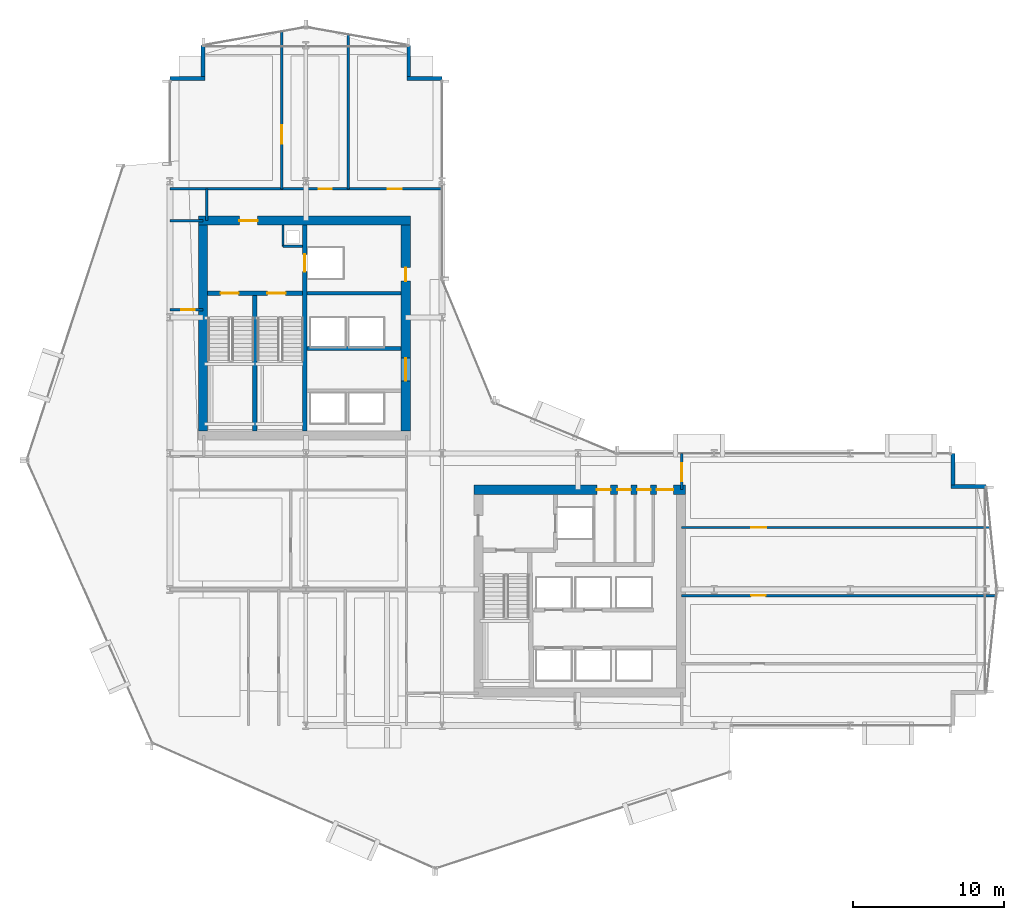
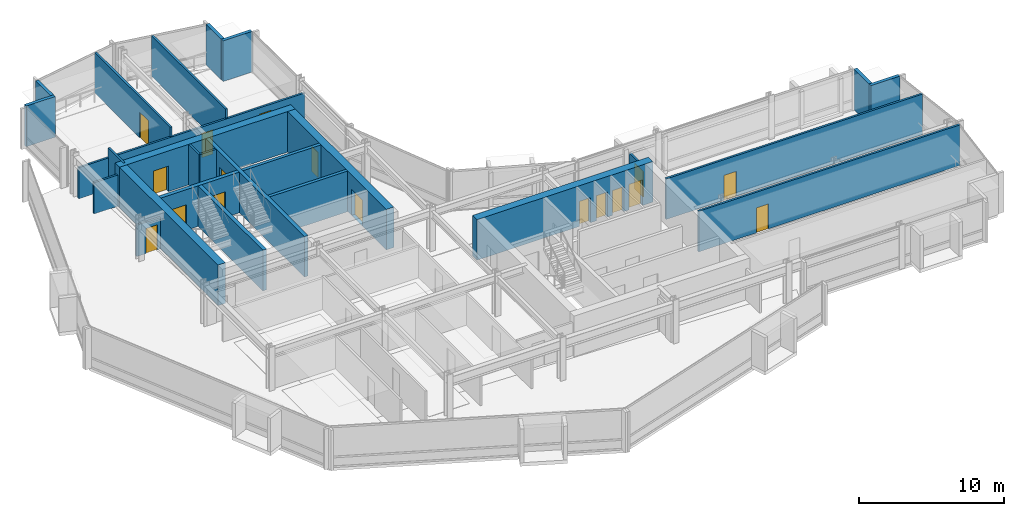
# One storey, part 28 of 34: 26 walls, 17 doors, 17 openings.
"""IFC4 building model written with IfcOpenShell, lengths in metres."""

from ifc_helpers import new_model, si_unit, direction, frame, frame_2d, origin, place, context, subcontext, project, spatial, rectangle, extrude, material, layer, layer_set, type_object, element, fill, save


model = new_model("IFC4")

# Units and contexts
model_context = context("Model", 3, precision=1e-05, world=origin(), true_north=direction((0.0, 1.0)))
body_context = subcontext(model_context, "Body", "Model", "MODEL_VIEW")
ifc_project = project(units=[si_unit("LENGTHUNIT", "METRE"), si_unit("AREAUNIT", "SQUARE_METRE"), si_unit("VOLUMEUNIT", "CUBIC_METRE"), si_unit("PLANEANGLEUNIT", "RADIAN"), si_unit("MASSUNIT", "GRAM", prefix="KILO")], contexts=[model_context])

# Site, building, storey
site_placement = place(None, origin())
site = spatial("IfcSite", under=ifc_project, at=site_placement, CompositionType="ELEMENT")
building_placement = place(site_placement, origin())
building = spatial("IfcBuilding", under=site, at=building_placement, Name="Solvaryn Broadcast Tower", CompositionType="ELEMENT")
storey_placement = place(building_placement, frame((0.0, 0.0, 54.5)))
storey = spatial("IfcBuildingStorey", under=building, at=storey_placement, Name="L12", CompositionType="ELEMENT", Elevation=54.5)

# Wall, opening, door
ifc_material_1 = material(Name="Concrete f'c 70 MPa", Category="concrete")
ifc_layer_1 = layer(ifc_material_1, 0.60009765625)
ifc_layer_set_1 = layer_set([ifc_layer_1], Name="CW-SHEAR-600")
wall_type_1 = type_object("IfcWallType", Name="CW-SHEAR-600", PredefinedType="SHEAR", material=ifc_layer_set_1)
wall_1_placement = place(storey_placement, frame((24.89990234375, 42.39990234375, 0.0), z_axis=(0.0, 0.0, 1.0), x_axis=(-1.0, 0.0, 0.0)))
wall_1 = element("IfcWall", 1, at=wall_1_placement, inside=storey, type_object=wall_type_1, Name="L12 West Core North Shear Wall", PredefinedType="SHEAR", context=body_context, shape_type="SweptSolid", body=[
    extrude(rectangle(XDim=14.0, YDim=0.60009765625, at=frame_2d((7.0, 0.0))), origin(), (0.0, 0.0, 1.0), 3.419921875),
])
opening_1_placement = place(wall_1_placement, frame((10.10009765625, 0.0, 0.0)))
opening_1 = element("IfcOpeningElement", 2, at=opening_1_placement, cuts=wall_1, Name="Opening FD90A", PredefinedType="OPENING", context=body_context, shape_type="SweptSolid", body=[
    extrude(rectangle(XDim=1.199951171875, YDim=2.14990234375, at=frame_2d((0.60009765625, 1.074951171875))), frame((0.0, 0.31005859375, 0.0), z_axis=(0.0, -1.0, 0.0), x_axis=(1.0, 0.0, 0.0)), (0.0, 0.0, 1.0), 0.6201171875),
])
ifc_material_2 = material(Name="Flush Acoustic Steel and Timber Door Assembly", Category="steel")
door_type_1 = type_object("IfcDoorType", Name="FD90-STAIR-1200X2150", OperationType="NOTDEFINED", PredefinedType="DOOR", material=ifc_material_2)
door_1_placement = place(opening_1_placement, origin())
door_1 = element("IfcDoor", 3, at=door_1_placement, inside=storey, type_object=door_type_1, Name="L12 West FSAE Lobby Corridor Door", OperationType="SINGLE_SWING_LEFT", OverallHeight=2.14990234375, OverallWidth=1.199951171875, PredefinedType="DOOR", context=body_context, shape_type="SweptSolid", body=[
    extrude(rectangle(XDim=1.199951171875, YDim=2.14990234375, at=frame_2d((0.60009765625, 1.074951171875))), frame((0.0, 0.02490234375, 0.0), z_axis=(0.0, -1.0, 0.0), x_axis=(1.0, 0.0, 0.0)), (0.0, 0.0, 1.0), 0.050048828125),
])
fill(opening_1, door_1)

# Wall
wall_2_placement = place(storey_placement, frame((11.199951171875, 42.10009765625, 0.0), z_axis=(0.0, 0.0, 1.0), x_axis=(0.0, -1.0, 0.0)))
element("IfcWall", 4, at=wall_2_placement, inside=storey, type_object=wall_type_1, Name="L12 West Core West Shear Wall", PredefinedType="SHEAR", context=body_context, shape_type="SweptSolid", body=[
    extrude(rectangle(XDim=13.60009765625, YDim=0.60009765625, at=frame_2d((6.800048828125, 0.0))), origin(), (0.0, 0.0, 1.0), 3.419921875),
])

# Wall, openings, doors
wall_3_placement = place(storey_placement, frame((24.60009765625, 28.5, 0.0), z_axis=(0.0, 0.0, 1.0), x_axis=(0.0, 1.0, 0.0)))
wall_3 = element("IfcWall", 5, at=wall_3_placement, inside=storey, type_object=wall_type_1, Name="L12 West Core East Shear Wall", PredefinedType="SHEAR", context=body_context, shape_type="SweptSolid", body=[
    extrude(rectangle(XDim=13.60009765625, YDim=0.60009765625, at=frame_2d((6.800048828125, 0.0))), origin(), (0.0, 0.0, 1.0), 3.419921875),
])
opening_2_placement = place(wall_3_placement, frame((3.300048828125, 0.0, 0.0)))
opening_2 = element("IfcOpeningElement", 6, at=opening_2_placement, cuts=wall_3, Name="Opening FD60A", PredefinedType="OPENING", context=body_context, shape_type="SweptSolid", body=[
    extrude(rectangle(XDim=1.5, YDim=2.199951171875, at=frame_2d((0.75, 1.10009765625))), frame((0.0, 0.31005859375, 0.0), z_axis=(0.0, -1.0, 0.0), x_axis=(1.0, 0.0, 0.0)), (0.0, 0.0, 1.0), 0.6201171875),
])
opening_3_placement = place(wall_3_placement, frame((9.89990234375, 0.0, 0.0)))
opening_3 = element("IfcOpeningElement", 7, at=opening_3_placement, cuts=wall_3, Name="Opening FD60C", PredefinedType="OPENING", context=body_context, shape_type="SweptSolid", body=[
    extrude(rectangle(XDim=0.89990234375, YDim=2.10009765625, at=frame_2d((0.449951171875, 1.050048828125))), frame((0.0, 0.31005859375, 0.0), z_axis=(0.0, -1.0, 0.0), x_axis=(1.0, 0.0, 0.0)), (0.0, 0.0, 1.0), 0.6201171875),
])
ifc_material_3 = material(Name="Flush Acoustic Steel and Timber Door Assembly", Category="steel")
door_type_2 = type_object("IfcDoorType", Name="FD60-CORR-1500X2200", OperationType="NOTDEFINED", PredefinedType="DOOR", material=ifc_material_3)
door_2_placement = place(opening_2_placement, origin())
door_2 = element("IfcDoor", 8, at=door_2_placement, inside=storey, type_object=door_type_2, Name="L12 West Elevator Lobby Corridor Door", OperationType="DOUBLE_DOOR_SINGLE_SWING", OverallHeight=2.199951171875, OverallWidth=1.5, PredefinedType="DOOR", context=body_context, shape_type="SweptSolid", body=[
    extrude(rectangle(XDim=1.5, YDim=2.199951171875, at=frame_2d((0.75, 1.10009765625))), frame((0.0, 0.02490234375, 0.0), z_axis=(0.0, -1.0, 0.0), x_axis=(1.0, 0.0, 0.0)), (0.0, 0.0, 1.0), 0.050048828125),
])
fill(opening_2, door_2)
ifc_material_4 = material(Name="Flush Acoustic Steel and Timber Door Assembly", Category="steel")
door_type_3 = type_object("IfcDoorType", Name="FD60-SERV-900X2100", OperationType="NOTDEFINED", PredefinedType="DOOR", material=ifc_material_4)
door_3_placement = place(opening_3_placement, origin())
door_3 = element("IfcDoor", 9, at=door_3_placement, inside=storey, type_object=door_type_3, Name="L12 West Core Service Door 1", OperationType="SINGLE_SWING_LEFT", OverallHeight=2.10009765625, OverallWidth=0.89990234375, PredefinedType="DOOR", context=body_context, shape_type="SweptSolid", body=[
    extrude(rectangle(XDim=0.89990234375, YDim=2.10009765625, at=frame_2d((0.449951171875, 1.050048828125))), frame((0.0, 0.02490234375, 0.0), z_axis=(0.0, -1.0, 0.0), x_axis=(1.0, 0.0, 0.0)), (0.0, 0.0, 1.0), 0.050048828125),
])
fill(opening_3, door_3)

wall_4_placement = place(storey_placement, frame((43.10009765625, 24.60009765625, 0.0), z_axis=(0.0, 0.0, 1.0), x_axis=(-1.0, 0.0, 0.0)))
wall_4 = element("IfcWall", 10, at=wall_4_placement, inside=storey, type_object=wall_type_1, Name="L12 East Core North Shear Wall", PredefinedType="SHEAR", context=body_context, shape_type="SweptSolid", body=[
    extrude(rectangle(XDim=14.0, YDim=0.60009765625, at=frame_2d((7.0, 0.0))), origin(), (0.0, 0.0, 1.0), 3.419921875),
])
opening_4_placement = place(wall_4_placement, frame((0.800048828125, 0.0, 0.0)))
opening_4 = element("IfcOpeningElement", 11, at=opening_4_placement, cuts=wall_4, Name="Opening FD90C", PredefinedType="OPENING", context=body_context, shape_type="SweptSolid", body=[
    extrude(rectangle(XDim=1.10009765625, YDim=2.14990234375, at=frame_2d((0.550048828125, 1.074951171875))), frame((0.0, 0.31005859375, 0.0), z_axis=(0.0, -1.0, 0.0), x_axis=(1.0, 0.0, 0.0)), (0.0, 0.0, 1.0), 0.6201171875),
])
opening_5_placement = place(wall_4_placement, frame((2.300048828125, 0.0, 0.0)))
opening_5 = element("IfcOpeningElement", 12, at=opening_5_placement, cuts=wall_4, Name="Opening FD60C", PredefinedType="OPENING", context=body_context, shape_type="SweptSolid", body=[
    extrude(rectangle(XDim=0.89990234375, YDim=2.10009765625, at=frame_2d((0.449951171875, 1.050048828125))), frame((0.0, 0.31005859375, 0.0), z_axis=(0.0, -1.0, 0.0), x_axis=(1.0, 0.0, 0.0)), (0.0, 0.0, 1.0), 0.6201171875),
])
opening_6_placement = place(wall_4_placement, frame((3.60009765625, 0.0, 0.0)))
opening_6 = element("IfcOpeningElement", 13, at=opening_6_placement, cuts=wall_4, Name="Opening FD60C", PredefinedType="OPENING", context=body_context, shape_type="SweptSolid", body=[
    extrude(rectangle(XDim=0.89990234375, YDim=2.10009765625, at=frame_2d((0.449951171875, 1.050048828125))), frame((0.0, 0.31005859375, 0.0), z_axis=(0.0, -1.0, 0.0), x_axis=(1.0, 0.0, 0.0)), (0.0, 0.0, 1.0), 0.6201171875),
])
opening_7_placement = place(wall_4_placement, frame((4.949951171875, 0.0, 0.0)))
opening_7 = element("IfcOpeningElement", 14, at=opening_7_placement, cuts=wall_4, Name="Opening FD60C", PredefinedType="OPENING", context=body_context, shape_type="SweptSolid", body=[
    extrude(rectangle(XDim=0.89990234375, YDim=2.10009765625, at=frame_2d((0.449951171875, 1.050048828125))), frame((0.0, 0.31005859375, 0.0), z_axis=(0.0, -1.0, 0.0), x_axis=(1.0, 0.0, 0.0)), (0.0, 0.0, 1.0), 0.6201171875),
])
door_4_placement = place(opening_5_placement, origin())
door_4 = element("IfcDoor", 15, at=door_4_placement, inside=storey, type_object=door_type_3, Name="L12 Core Wellness Room Door", OperationType="SINGLE_SWING_RIGHT", OverallHeight=2.10009765625, OverallWidth=0.89990234375, PredefinedType="DOOR", context=body_context, shape_type="SweptSolid", body=[
    extrude(rectangle(XDim=0.89990234375, YDim=2.10009765625, at=frame_2d((0.449951171875, 1.050048828125))), frame((0.0, 0.02490234375, 0.0), z_axis=(0.0, -1.0, 0.0), x_axis=(1.0, 0.0, 0.0)), (0.0, 0.0, 1.0), 0.050048828125),
])
fill(opening_5, door_4)
door_5_placement = place(opening_6_placement, origin())
door_5 = element("IfcDoor", 16, at=door_5_placement, inside=storey, type_object=door_type_3, Name="L12 Staff Restroom Door", OperationType="SINGLE_SWING_LEFT", OverallHeight=2.10009765625, OverallWidth=0.89990234375, PredefinedType="DOOR", context=body_context, shape_type="SweptSolid", body=[
    extrude(rectangle(XDim=0.89990234375, YDim=2.10009765625, at=frame_2d((0.449951171875, 1.050048828125))), frame((0.0, 0.02490234375, 0.0), z_axis=(0.0, -1.0, 0.0), x_axis=(1.0, 0.0, 0.0)), (0.0, 0.0, 1.0), 0.050048828125),
])
fill(opening_6, door_5)
door_6_placement = place(opening_7_placement, origin())
door_6 = element("IfcDoor", 17, at=door_6_placement, inside=storey, type_object=door_type_3, Name="L12 Accessible WC Door", OperationType="SINGLE_SWING_RIGHT", OverallHeight=2.10009765625, OverallWidth=0.89990234375, PredefinedType="DOOR", context=body_context, shape_type="SweptSolid", body=[
    extrude(rectangle(XDim=0.89990234375, YDim=2.10009765625, at=frame_2d((0.449951171875, 1.050048828125))), frame((0.0, 0.02490234375, 0.0), z_axis=(0.0, -1.0, 0.0), x_axis=(1.0, 0.0, 0.0)), (0.0, 0.0, 1.0), 0.050048828125),
])
fill(opening_7, door_6)
ifc_material_5 = material(Name="Flush Acoustic Steel and Timber Door Assembly", Category="steel")
door_type_4 = type_object("IfcDoorType", Name="FD90-PLANT-1100X2150", OperationType="NOTDEFINED", PredefinedType="DOOR", material=ifc_material_5)
door_7_placement = place(opening_4_placement, origin())
door_7 = element("IfcDoor", 18, at=door_7_placement, inside=storey, type_object=door_type_4, Name="L12 East Core Lobby Corridor Door", OperationType="SINGLE_SWING_LEFT", OverallHeight=2.14990234375, OverallWidth=1.10009765625, PredefinedType="DOOR", context=body_context, shape_type="SweptSolid", body=[
    extrude(rectangle(XDim=1.10009765625, YDim=2.14990234375, at=frame_2d((0.550048828125, 1.074951171875))), frame((0.0, 0.02490234375, 0.0), z_axis=(0.0, -1.0, 0.0), x_axis=(1.0, 0.0, 0.0)), (0.0, 0.0, 1.0), 0.050048828125),
])
fill(opening_4, door_7)

# Walls
ifc_material_6 = material(Name="Concrete f'c 50 MPa", Category="concrete")
ifc_layer_2 = layer(ifc_material_6, 0.260009765625)
ifc_layer_set_2 = layer_set([ifc_layer_2], Name="EW-PIER-260")
wall_type_2 = type_object("IfcWallType", Name="EW-PIER-260", PredefinedType="SOLIDWALL", material=ifc_layer_set_2)
wall_5_placement = place(storey_placement, frame((9.0, 51.800048828125, 0.0), z_axis=(0.0, 0.0, 1.0), x_axis=(1.0, 0.0, 0.0)))
element("IfcWall", 19, at=wall_5_placement, inside=storey, type_object=wall_type_2, Name="L12 Notched Corner Pier Wall NNW1", PredefinedType="SOLIDWALL", context=body_context, shape_type="SweptSolid", body=[
    extrude(rectangle(XDim=2.320068359375, YDim=0.260009765625, at=frame_2d((1.16015625, 0.0))), origin(), (0.0, 0.0, 1.0), 3.419921875),
])
for number, where, z_axis, x_axis, name in (
    (20, (11.199951171875, 51.919921875, 0.0), (0.0, 0.0, 1.0), (0.0, 1.0, 0.0), "L12 Notched Corner Pier Wall NNW2"),
    (21, (24.800048828125, 54.0, 0.0), (0.0, 0.0, 1.0), (0.0, -1.0, 0.0), "L12 Notched Corner Pier Wall NNE1"),
):
    element("IfcWall", number, at=place(storey_placement, frame(where, z_axis=z_axis, x_axis=x_axis)), inside=storey, type_object=wall_type_2, Name=name, PredefinedType="SOLIDWALL", context=body_context, shape_type="SweptSolid", body=[
        extrude(rectangle(XDim=2.080078125, YDim=0.260009765625, at=frame_2d((1.0400390625, 0.0))), origin(), (0.0, 0.0, 1.0), 3.419921875),
    ])
for number, where, z_axis, x_axis, name in (
    (22, (24.679931640625, 51.800048828125, 0.0), (0.0, 0.0, 1.0), (1.0, 0.0, 0.0), "L12 Notched Corner Pier Wall NNE2"),
    (23, (63.0, 24.800048828125, 0.0), (0.0, 0.0, 1.0), (-1.0, 0.0, 0.0), "L12 Notched Corner Pier Wall NEE1"),
):
    element("IfcWall", number, at=place(storey_placement, frame(where, z_axis=z_axis, x_axis=x_axis)), inside=storey, type_object=wall_type_2, Name=name, PredefinedType="SOLIDWALL", context=body_context, shape_type="SweptSolid", body=[
        extrude(rectangle(XDim=2.320068359375, YDim=0.260009765625, at=frame_2d((1.16015625, 0.0))), origin(), (0.0, 0.0, 1.0), 3.419921875),
    ])
wall_6_placement = place(storey_placement, frame((60.800048828125, 24.919921875, 0.0), z_axis=(0.0, 0.0, 1.0), x_axis=(0.0, 1.0, 0.0)))
element("IfcWall", 24, at=wall_6_placement, inside=storey, type_object=wall_type_2, Name="L12 Notched Corner Pier Wall NEE2", PredefinedType="SOLIDWALL", context=body_context, shape_type="SweptSolid", body=[
    extrude(rectangle(XDim=2.080078125, YDim=0.260009765625, at=frame_2d((1.0400390625, 0.0))), origin(), (0.0, 0.0, 1.0), 3.419921875),
])
ifc_material_7 = material(Name="Metal-Stud Service Core Partition")
ifc_layer_3 = layer(ifc_material_7, 0.14990234375)
ifc_layer_set_3 = layer_set([ifc_layer_3], Name="IW-PART-150")
wall_type_3 = type_object("IfcWallType", Name="IW-PART-150", PredefinedType="PARTITIONING", material=ifc_layer_set_3)
wall_7_placement = place(storey_placement, frame((16.47998046875, 40.699951171875, 0.0), z_axis=(0.0, 0.0, 1.0), x_axis=(1.0, 0.0, 0.0)))
element("IfcWall", 25, at=wall_7_placement, inside=storey, type_object=wall_type_3, Name="L12 West Core Riser Shaft South Wall", PredefinedType="PARTITIONING", context=body_context, shape_type="SweptSolid", body=[
    extrude(rectangle(XDim=1.2900390625, YDim=0.14990234375, at=frame_2d((0.64501953125, 0.0))), origin(), (0.0, 0.0, 1.0), 3.419921875),
])
wall_8_placement = place(storey_placement, frame((16.47998046875, 40.699951171875, 0.0), z_axis=(0.0, 0.0, 1.0), x_axis=(0.0, 1.0, 0.0)))
element("IfcWall", 26, at=wall_8_placement, inside=storey, type_object=wall_type_3, Name="L12 West Core Riser Shaft West Wall", PredefinedType="PARTITIONING", context=body_context, shape_type="SweptSolid", body=[
    extrude(rectangle(XDim=1.400146484375, YDim=0.14990234375, at=frame_2d((0.7001953125, 0.0))), origin(), (0.0, 0.0, 1.0), 3.419921875),
])

# Wall, opening, door
wall_9_placement = place(storey_placement, frame((9.0, 36.5, 0.0), z_axis=(0.0, 0.0, 1.0), x_axis=(1.0, 0.0, 0.0)))
wall_9 = element("IfcWall", 27, at=wall_9_placement, inside=storey, type_object=wall_type_3, Name="L12 Interior Partition IW-L12-WM-M", PredefinedType="PARTITIONING", context=body_context, shape_type="SweptSolid", body=[
    extrude(rectangle(XDim=2.199951171875, YDim=0.14990234375, at=frame_2d((1.10009765625, 0.0))), origin(), (0.0, 0.0, 1.0), 2.626953125),
])
opening_8_placement = place(wall_9_placement, frame((0.75, 0.0, 0.0)))
opening_8 = element("IfcOpeningElement", 28, at=opening_8_placement, cuts=wall_9, Name="Opening FD60C", PredefinedType="OPENING", context=body_context, shape_type="SweptSolid", body=[
    extrude(rectangle(XDim=0.89990234375, YDim=2.10009765625, at=frame_2d((0.449951171875, 1.050048828125))), frame((0.0, 0.0849609375, 0.0), z_axis=(0.0, -1.0, 0.0), x_axis=(1.0, 0.0, 0.0)), (0.0, 0.0, 1.0), 0.169921875),
])
door_8_placement = place(opening_8_placement, origin())
door_8 = element("IfcDoor", 29, at=door_8_placement, inside=storey, type_object=door_type_3, Name="L12 Door DR-L12-WM1", OperationType="SINGLE_SWING_RIGHT", OverallHeight=2.10009765625, OverallWidth=0.89990234375, PredefinedType="DOOR", context=body_context, shape_type="SweptSolid", body=[
    extrude(rectangle(XDim=0.89990234375, YDim=2.10009765625, at=frame_2d((0.449951171875, 1.050048828125))), frame((0.0, 0.02490234375, 0.0), z_axis=(0.0, -1.0, 0.0), x_axis=(1.0, 0.0, 0.0)), (0.0, 0.0, 1.0), 0.050048828125),
])
fill(opening_8, door_8)

# Walls
ifc_material_8 = material(Name="Metal-Stud Gypsum Office Partition")
ifc_layer_4 = layer(ifc_material_8, 0.159912109375)
ifc_layer_set_4 = layer_set([ifc_layer_4], Name="IW-PART-160")
wall_type_4 = type_object("IfcWallType", Name="IW-PART-160", PredefinedType="PARTITIONING", material=ifc_layer_set_4)
wall_10_placement = place(storey_placement, frame((9.0, 42.39990234375, 0.0), z_axis=(0.0, 0.0, 1.0), x_axis=(1.0, 0.0, 0.0)))
element("IfcWall", 30, at=wall_10_placement, inside=storey, type_object=wall_type_4, Name="L12 Interior Partition IW-L12-WM-N", PredefinedType="PARTITIONING", context=body_context, shape_type="SweptSolid", body=[
    extrude(rectangle(XDim=2.199951171875, YDim=0.159912109375, at=frame_2d((1.10009765625, 0.0))), origin(), (0.0, 0.0, 1.0), 2.626953125),
])
wall_11_placement = place(storey_placement, frame((11.449951171875, 42.39990234375, 0.0), z_axis=(0.0, 0.0, 1.0), x_axis=(0.0, 1.0, 0.0)))
element("IfcWall", 31, at=wall_11_placement, inside=storey, type_object=wall_type_4, Name="L12 Interior Partition IW-L12-WM-E", PredefinedType="PARTITIONING", context=body_context, shape_type="SweptSolid", body=[
    extrude(rectangle(XDim=2.10009765625, YDim=0.159912109375, at=frame_2d((1.050048828125, 0.0))), origin(), (0.0, 0.0, 1.0), 3.419921875),
])

# Wall, openings, doors
wall_12_placement = place(storey_placement, frame((9.0, 44.5, 0.0), z_axis=(0.0, 0.0, 1.0), x_axis=(1.0, 0.0, 0.0)))
wall_12 = element("IfcWall", 32, at=wall_12_placement, inside=storey, type_object=wall_type_4, Name="L12 Interior Partition IW-L12-NW-SB", PredefinedType="PARTITIONING", context=body_context, shape_type="SweptSolid", body=[
    extrude(rectangle(XDim=18.0, YDim=0.159912109375, at=frame_2d((9.0, 0.0))), origin(), (0.0, 0.0, 1.0), 2.626953125),
])
opening_9_placement = place(wall_12_placement, frame((9.85009765625, 0.0, 0.0)))
opening_9 = element("IfcOpeningElement", 33, at=opening_9_placement, cuts=wall_12, Name="Opening ID07", PredefinedType="OPENING", context=body_context, shape_type="SweptSolid", body=[
    extrude(rectangle(XDim=0.860107421875, YDim=2.050048828125, at=frame_2d((0.43017578125, 1.02490234375))), frame((0.0, 0.090087890625, 0.0), z_axis=(0.0, -1.0, 0.0), x_axis=(1.0, 0.0, 0.0)), (0.0, 0.0, 1.0), 0.179931640625),
])
opening_10_placement = place(wall_12_placement, frame((14.39990234375, 0.0, 0.0)))
opening_10 = element("IfcOpeningElement", 34, at=opening_10_placement, cuts=wall_12, Name="Opening ID01", PredefinedType="OPENING", context=body_context, shape_type="SweptSolid", body=[
    extrude(rectangle(XDim=0.949951171875, YDim=2.10009765625, at=frame_2d((0.47509765625, 1.050048828125))), frame((0.0, 0.090087890625, 0.0), z_axis=(0.0, -1.0, 0.0), x_axis=(1.0, 0.0, 0.0)), (0.0, 0.0, 1.0), 0.179931640625),
])
ifc_material_9 = material(Name="Flush Acoustic Steel and Timber Door Assembly", Category="steel")
door_type_5 = type_object("IfcDoorType", Name="ID-01-950X2100", OperationType="NOTDEFINED", PredefinedType="DOOR", material=ifc_material_9)
door_9_placement = place(opening_10_placement, origin())
door_9 = element("IfcDoor", 35, at=door_9_placement, inside=storey, type_object=door_type_5, Name="L12 Door DR-L12-NW-3", OperationType="SINGLE_SWING_RIGHT", OverallHeight=2.10009765625, OverallWidth=0.949951171875, PredefinedType="DOOR", context=body_context, shape_type="SweptSolid", body=[
    extrude(rectangle(XDim=0.949951171875, YDim=2.10009765625, at=frame_2d((0.47509765625, 1.050048828125))), frame((0.0, 0.02490234375, 0.0), z_axis=(0.0, -1.0, 0.0), x_axis=(1.0, 0.0, 0.0)), (0.0, 0.0, 1.0), 0.050048828125),
])
fill(opening_10, door_9)
ifc_material_10 = material(Name="Flush Acoustic Steel and Timber Door Assembly", Category="steel")
door_type_6 = type_object("IfcDoorType", Name="ID-07-860X2050", OperationType="NOTDEFINED", PredefinedType="DOOR", material=ifc_material_10)
door_10_placement = place(opening_9_placement, origin())
door_10 = element("IfcDoor", 36, at=door_10_placement, inside=storey, type_object=door_type_6, Name="L12 Door DR-L12-NW-2", OperationType="SINGLE_SWING_LEFT", OverallHeight=2.050048828125, OverallWidth=0.860107421875, PredefinedType="DOOR", context=body_context, shape_type="SweptSolid", body=[
    extrude(rectangle(XDim=0.860107421875, YDim=2.050048828125, at=frame_2d((0.43017578125, 1.02490234375))), frame((0.0, 0.02490234375, 0.0), z_axis=(0.0, -1.0, 0.0), x_axis=(1.0, 0.0, 0.0)), (0.0, 0.0, 1.0), 0.050048828125),
])
fill(opening_9, door_10)

# Wall, opening, door
wall_13_placement = place(storey_placement, frame((16.39990234375, 44.5, 0.0), z_axis=(0.0, 0.0, 1.0), x_axis=(0.0, 1.0, 0.0)))
wall_13 = element("IfcWall", 37, at=wall_13_placement, inside=storey, type_object=wall_type_4, Name="L12 Interior Partition IW-L12-NW-V1", PredefinedType="PARTITIONING", context=body_context, shape_type="SweptSolid", body=[
    extrude(rectangle(XDim=10.41796875, YDim=0.159912109375, at=frame_2d((5.208984375, 0.0))), origin(), (0.0, 0.0, 1.0), 3.419921875),
])
opening_11_placement = place(wall_13_placement, frame((3.0, 0.0, 0.0)))
opening_11 = element("IfcOpeningElement", 38, at=opening_11_placement, cuts=wall_13, Name="Opening ID04", PredefinedType="OPENING", context=body_context, shape_type="SweptSolid", body=[
    extrude(rectangle(XDim=1.199951171875, YDim=2.14990234375, at=frame_2d((0.60009765625, 1.074951171875))), frame((0.0, 0.090087890625, 0.0), z_axis=(0.0, -1.0, 0.0), x_axis=(1.0, 0.0, 0.0)), (0.0, 0.0, 1.0), 0.179931640625),
])
ifc_material_11 = material(Name="Flush Acoustic Steel and Timber Door Assembly", Category="steel")
door_type_7 = type_object("IfcDoorType", Name="ID-04-1200X2150", OperationType="NOTDEFINED", PredefinedType="DOOR", material=ifc_material_11)
door_11_placement = place(opening_11_placement, origin())
door_11 = element("IfcDoor", 39, at=door_11_placement, inside=storey, type_object=door_type_7, Name="L12 Door DR-L12-NW-C1", OperationType="SINGLE_SWING_RIGHT", OverallHeight=2.14990234375, OverallWidth=1.199951171875, PredefinedType="DOOR", context=body_context, shape_type="SweptSolid", body=[
    extrude(rectangle(XDim=1.199951171875, YDim=2.14990234375, at=frame_2d((0.60009765625, 1.074951171875))), frame((0.0, 0.02490234375, 0.0), z_axis=(0.0, -1.0, 0.0), x_axis=(1.0, 0.0, 0.0)), (0.0, 0.0, 1.0), 0.050048828125),
])
fill(opening_11, door_11)

# Wall
wall_14_placement = place(storey_placement, frame((20.800048828125, 44.5, 0.0), z_axis=(0.0, 0.0, 1.0), x_axis=(0.0, 1.0, 0.0)))
element("IfcWall", 40, at=wall_14_placement, inside=storey, type_object=wall_type_4, Name="L12 Interior Partition IW-L12-NW-V2", PredefinedType="PARTITIONING", context=body_context, shape_type="SweptSolid", body=[
    extrude(rectangle(XDim=10.2060546875, YDim=0.159912109375, at=frame_2d((5.10302734375, 0.0))), origin(), (0.0, 0.0, 1.0), 3.419921875),
])

# Wall, opening, door
wall_15_placement = place(storey_placement, frame((42.85009765625, 24.60009765625, 0.0), z_axis=(0.0, 0.0, 1.0), x_axis=(0.0, 1.0, 0.0)))
wall_15 = element("IfcWall", 41, at=wall_15_placement, inside=storey, type_object=wall_type_4, Name="L12 Interior Partition IW-L12-EW-BN", PredefinedType="PARTITIONING", context=body_context, shape_type="SweptSolid", body=[
    extrude(rectangle(XDim=2.39990234375, YDim=0.159912109375, at=frame_2d((1.199951171875, 0.0))), origin(), (0.0, 0.0, 1.0), 2.626953125),
])
opening_12_placement = place(wall_15_placement, frame((0.550048828125, 0.0, 0.0)))
opening_12 = element("IfcOpeningElement", 42, at=opening_12_placement, cuts=wall_15, Name="Opening ID04", PredefinedType="OPENING", context=body_context, shape_type="SweptSolid", body=[
    extrude(rectangle(XDim=1.199951171875, YDim=2.14990234375, at=frame_2d((0.60009765625, 1.074951171875))), frame((0.0, 0.090087890625, 0.0), z_axis=(0.0, -1.0, 0.0), x_axis=(1.0, 0.0, 0.0)), (0.0, 0.0, 1.0), 0.179931640625),
])
door_12_placement = place(opening_12_placement, origin())
door_12 = element("IfcDoor", 43, at=door_12_placement, inside=storey, type_object=door_type_7, Name="L12 Door DR-L12-EW0", OperationType="SINGLE_SWING_LEFT", OverallHeight=2.14990234375, OverallWidth=1.199951171875, PredefinedType="DOOR", context=body_context, shape_type="SweptSolid", body=[
    extrude(rectangle(XDim=1.199951171875, YDim=2.14990234375, at=frame_2d((0.60009765625, 1.074951171875))), frame((0.0, 0.02490234375, 0.0), z_axis=(0.0, -1.0, 0.0), x_axis=(1.0, 0.0, 0.0)), (0.0, 0.0, 1.0), 0.050048828125),
])
fill(opening_12, door_12)

wall_16_placement = place(storey_placement, frame((42.85009765625, 17.60009765625, 0.0), z_axis=(0.0, 0.0, 1.0), x_axis=(1.0, 0.0, 0.0)))
wall_16 = element("IfcWall", 44, at=wall_16_placement, inside=storey, type_object=wall_type_4, Name="L12 Interior Partition IW-L12-EW-H2", PredefinedType="PARTITIONING", context=body_context, shape_type="SweptSolid", body=[
    extrude(rectangle(XDim=20.808837890625, YDim=0.159912109375, at=frame_2d((10.404296875, 0.0))), origin(), (0.0, 0.0, 1.0), 3.419921875),
])
opening_13_placement = place(wall_16_placement, frame((4.60009765625, 0.0, 0.0)))
opening_13 = element("IfcOpeningElement", 45, at=opening_13_placement, cuts=wall_16, Name="Opening ID01", PredefinedType="OPENING", context=body_context, shape_type="SweptSolid", body=[
    extrude(rectangle(XDim=0.949951171875, YDim=2.10009765625, at=frame_2d((0.47509765625, 1.050048828125))), frame((0.0, 0.090087890625, 0.0), z_axis=(0.0, -1.0, 0.0), x_axis=(1.0, 0.0, 0.0)), (0.0, 0.0, 1.0), 0.179931640625),
])
door_13_placement = place(opening_13_placement, origin())
door_13 = element("IfcDoor", 46, at=door_13_placement, inside=storey, type_object=door_type_5, Name="L12 Door DR-L12-EW-2", OperationType="SINGLE_SWING_LEFT", OverallHeight=2.10009765625, OverallWidth=0.949951171875, PredefinedType="DOOR", context=body_context, shape_type="SweptSolid", body=[
    extrude(rectangle(XDim=0.949951171875, YDim=2.10009765625, at=frame_2d((0.47509765625, 1.050048828125))), frame((0.0, 0.02490234375, 0.0), z_axis=(0.0, -1.0, 0.0), x_axis=(1.0, 0.0, 0.0)), (0.0, 0.0, 1.0), 0.050048828125),
])
fill(opening_13, door_13)

wall_17_placement = place(storey_placement, frame((42.85009765625, 22.10009765625, 0.0), z_axis=(0.0, 0.0, 1.0), x_axis=(1.0, 0.0, 0.0)))
wall_17 = element("IfcWall", 47, at=wall_17_placement, inside=storey, type_object=wall_type_4, Name="L12 Interior Partition IW-L12-EW-H3", PredefinedType="PARTITIONING", context=body_context, shape_type="SweptSolid", body=[
    extrude(rectangle(XDim=20.427978515625, YDim=0.159912109375, at=frame_2d((10.2138671875, 0.0))), origin(), (0.0, 0.0, 1.0), 3.419921875),
])
opening_14_placement = place(wall_17_placement, frame((4.60009765625, 0.0, 0.0)))
opening_14 = element("IfcOpeningElement", 48, at=opening_14_placement, cuts=wall_17, Name="Opening ID02", PredefinedType="OPENING", context=body_context, shape_type="SweptSolid", body=[
    extrude(rectangle(XDim=1.0, YDim=2.10009765625, at=frame_2d((0.5, 1.050048828125))), frame((0.0, 0.090087890625, 0.0), z_axis=(0.0, -1.0, 0.0), x_axis=(1.0, 0.0, 0.0)), (0.0, 0.0, 1.0), 0.179931640625),
])
ifc_material_12 = material(Name="Flush Acoustic Steel and Timber Door Assembly", Category="steel")
door_type_8 = type_object("IfcDoorType", Name="ID-02-1000X2100", OperationType="NOTDEFINED", PredefinedType="DOOR", material=ifc_material_12)
door_14_placement = place(opening_14_placement, origin())
door_14 = element("IfcDoor", 49, at=door_14_placement, inside=storey, type_object=door_type_8, Name="L12 Door DR-L12-EW-3", OperationType="SINGLE_SWING_RIGHT", OverallHeight=2.10009765625, OverallWidth=1.0, PredefinedType="DOOR", context=body_context, shape_type="SweptSolid", body=[
    extrude(rectangle(XDim=1.0, YDim=2.10009765625, at=frame_2d((0.5, 1.050048828125))), frame((0.0, 0.02490234375, 0.0), z_axis=(0.0, -1.0, 0.0), x_axis=(1.0, 0.0, 0.0)), (0.0, 0.0, 1.0), 0.050048828125),
])
fill(opening_14, door_14)

# Walls
ifc_material_13 = material(Name="Concrete f'c 60 MPa", Category="concrete")
ifc_layer_5 = layer(ifc_material_13, 0.25)
ifc_layer_set_5 = layer_set([ifc_layer_5], Name="SW-SHAFT-250")
wall_type_5 = type_object("IfcWallType", Name="SW-SHAFT-250", PredefinedType="PARTITIONING", material=ifc_layer_set_5)
for number, where, z_axis, x_axis, name in (
    (50, (18.070068359375, 37.60009765625, 0.0), (0.0, 0.0, 1.0), (1.0, 0.0, 0.0), "L12 West Core FSAE Hoistway Front Wall"),
    (51, (24.300048828125, 33.949951171875, 0.0), (0.0, 0.0, 1.0), (-1.0, 0.0, 0.0), "L12 High-Rise Lift Bank North Wall"),
):
    element("IfcWall", number, at=place(storey_placement, frame(where, z_axis=z_axis, x_axis=x_axis)), inside=storey, type_object=wall_type_5, Name=name, PredefinedType="PARTITIONING", context=body_context, shape_type="SweptSolid", body=[
        extrude(rectangle(XDim=6.22998046875, YDim=0.25, at=frame_2d((3.114990234375, 0.0))), origin(), (0.0, 0.0, 1.0), 3.419921875),
    ])
ifc_material_14 = material(Name="Concrete f'c 70 MPa", Category="concrete")
ifc_layer_6 = layer(ifc_material_14, 0.300048828125)
ifc_layer_set_6 = layer_set([ifc_layer_6], Name="SW-SHAFT-300")
wall_type_6 = type_object("IfcWallType", Name="SW-SHAFT-300", PredefinedType="SHEAR", material=ifc_layer_set_6)
wall_18_placement = place(storey_placement, frame((14.6201171875, 28.5, 0.0), z_axis=(0.0, 0.0, 1.0), x_axis=(0.0, 1.0, 0.0)))
element("IfcWall", 52, at=wall_18_placement, inside=storey, type_object=wall_type_6, Name="L12 Stair 1-2 Dividing Wall", PredefinedType="SHEAR", context=body_context, shape_type="SweptSolid", body=[
    extrude(rectangle(XDim=8.949951171875, YDim=0.300048828125, at=frame_2d((4.47509765625, 0.0))), origin(), (0.0, 0.0, 1.0), 3.419921875),
])

# Wall, opening, door
wall_19_placement = place(storey_placement, frame((17.919921875, 42.10009765625, 0.0), z_axis=(0.0, 0.0, 1.0), x_axis=(0.0, -1.0, 0.0)))
wall_19 = element("IfcWall", 53, at=wall_19_placement, inside=storey, type_object=wall_type_6, Name="L12 West Core Stair-Lobby Shear Wall", PredefinedType="SHEAR", context=body_context, shape_type="SweptSolid", body=[
    extrude(rectangle(XDim=13.60009765625, YDim=0.300048828125, at=frame_2d((6.800048828125, 0.0))), origin(), (0.0, 0.0, 1.0), 3.419921875),
])
opening_15_placement = place(wall_19_placement, frame((1.925048828125, 0.0, 0.0)))
opening_15 = element("IfcOpeningElement", 54, at=opening_15_placement, cuts=wall_19, Name="Opening LD01", PredefinedType="OPENING", context=body_context, shape_type="SweptSolid", body=[
    extrude(rectangle(XDim=1.14990234375, YDim=2.14990234375, at=frame_2d((0.574951171875, 1.074951171875))), frame((0.0, 0.159912109375, 0.0), z_axis=(0.0, -1.0, 0.0), x_axis=(1.0, 0.0, 0.0)), (0.0, 0.0, 1.0), 0.320068359375),
])
ifc_material_15 = material(Name="Flush Acoustic Steel and Timber Door Assembly", Category="steel")
door_type_9 = type_object("IfcDoorType", Name="LD-LIFT-1150X2150", OperationType="NOTDEFINED", PredefinedType="DOOR", material=ifc_material_15)
door_15_placement = place(opening_15_placement, origin())
door_15 = element("IfcDoor", 55, at=door_15_placement, inside=storey, type_object=door_type_9, Name="L12 FL1 Lift Landing Door", OperationType="DOUBLE_DOOR_SLIDING", OverallHeight=2.14990234375, OverallWidth=1.14990234375, PredefinedType="DOOR", context=body_context, shape_type="SweptSolid", body=[
    extrude(rectangle(XDim=1.14990234375, YDim=2.14990234375, at=frame_2d((0.574951171875, 1.074951171875))), frame((0.0, 0.02490234375, 0.0), z_axis=(0.0, -1.0, 0.0), x_axis=(1.0, 0.0, 0.0)), (0.0, 0.0, 1.0), 0.050048828125),
])
fill(opening_15, door_15)

# Wall, openings, doors
wall_20_placement = place(storey_placement, frame((17.77001953125, 37.60009765625, 0.0), z_axis=(0.0, 0.0, 1.0), x_axis=(-1.0, 0.0, 0.0)))
wall_20 = element("IfcWall", 56, at=wall_20_placement, inside=storey, type_object=wall_type_6, Name="L12 West Core FSAE Lobby South Wall", PredefinedType="SHEAR", context=body_context, shape_type="SweptSolid", body=[
    extrude(rectangle(XDim=6.27001953125, YDim=0.300048828125, at=frame_2d((3.135009765625, 0.0))), origin(), (0.0, 0.0, 1.0), 3.419921875),
])
opening_16_placement = place(wall_20_placement, frame((4.219970703125, 0.0, 0.0)))
opening_16 = element("IfcOpeningElement", 57, at=opening_16_placement, cuts=wall_20, Name="Opening FD90A", PredefinedType="OPENING", context=body_context, shape_type="SweptSolid", body=[
    extrude(rectangle(XDim=1.199951171875, YDim=2.14990234375, at=frame_2d((0.60009765625, 1.074951171875))), frame((0.0, 0.159912109375, 0.0), z_axis=(0.0, -1.0, 0.0), x_axis=(1.0, 0.0, 0.0)), (0.0, 0.0, 1.0), 0.320068359375),
])
opening_17_placement = place(wall_20_placement, frame((1.1201171875, 0.0, 0.0)))
opening_17 = element("IfcOpeningElement", 58, at=opening_17_placement, cuts=wall_20, Name="Opening FD90A", PredefinedType="OPENING", context=body_context, shape_type="SweptSolid", body=[
    extrude(rectangle(XDim=1.199951171875, YDim=2.14990234375, at=frame_2d((0.60009765625, 1.074951171875))), frame((0.0, 0.159912109375, 0.0), z_axis=(0.0, -1.0, 0.0), x_axis=(1.0, 0.0, 0.0)), (0.0, 0.0, 1.0), 0.320068359375),
])
door_16_placement = place(opening_16_placement, origin())
door_16 = element("IfcDoor", 59, at=door_16_placement, inside=storey, type_object=door_type_1, Name="L12 Stair 1 Fire Door", OperationType="SINGLE_SWING_LEFT", OverallHeight=2.14990234375, OverallWidth=1.199951171875, PredefinedType="DOOR", context=body_context, shape_type="SweptSolid", body=[
    extrude(rectangle(XDim=1.199951171875, YDim=2.14990234375, at=frame_2d((0.60009765625, 1.074951171875))), frame((0.0, 0.02490234375, 0.0), z_axis=(0.0, -1.0, 0.0), x_axis=(1.0, 0.0, 0.0)), (0.0, 0.0, 1.0), 0.050048828125),
])
fill(opening_16, door_16)
door_17_placement = place(opening_17_placement, origin())
door_17 = element("IfcDoor", 60, at=door_17_placement, inside=storey, type_object=door_type_1, Name="L12 Stair 2 Fire Door", OperationType="SINGLE_SWING_RIGHT", OverallHeight=2.14990234375, OverallWidth=1.199951171875, PredefinedType="DOOR", context=body_context, shape_type="SweptSolid", body=[
    extrude(rectangle(XDim=1.199951171875, YDim=2.14990234375, at=frame_2d((0.60009765625, 1.074951171875))), frame((0.0, 0.02490234375, 0.0), z_axis=(0.0, -1.0, 0.0), x_axis=(1.0, 0.0, 0.0)), (0.0, 0.0, 1.0), 0.050048828125),
])
fill(opening_17, door_17)

save(model, "model.ifc")
